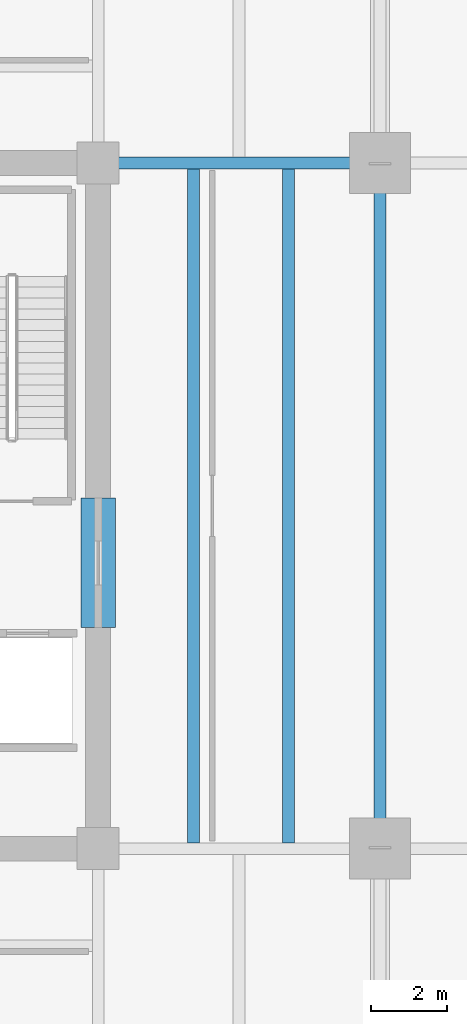
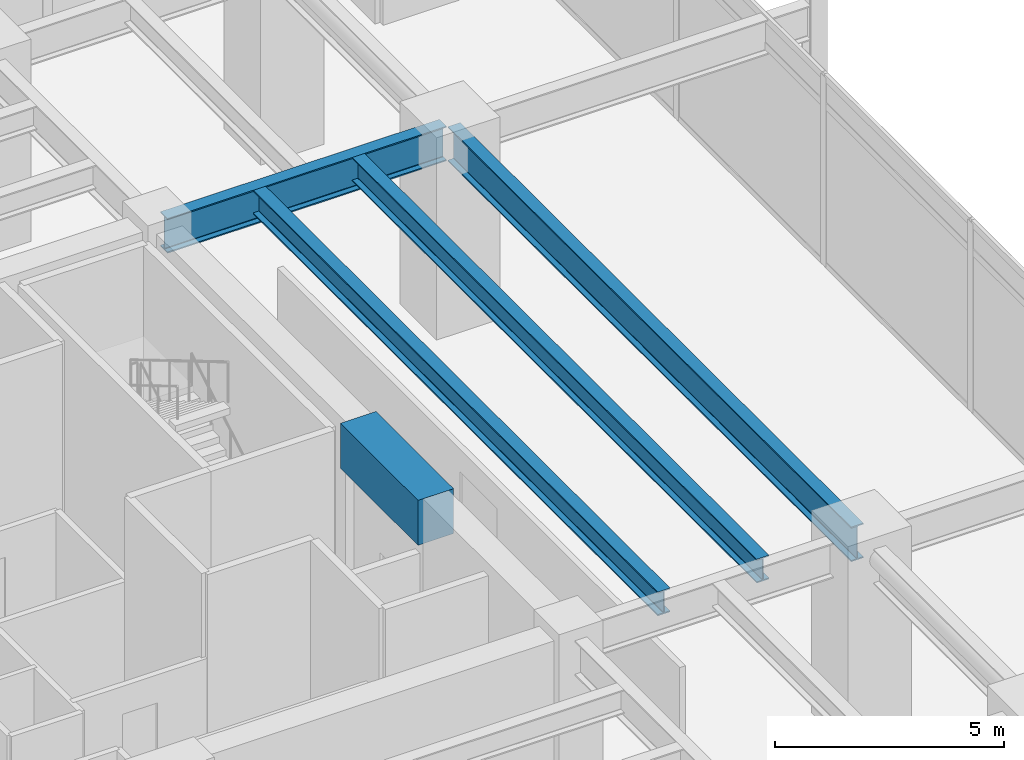
# One storey, part 10 of 23: 5 beams.
"""IFC4 building model written with IfcOpenShell, lengths in metres."""

from ifc_helpers import new_model, si_unit, direction, frame, origin, origin_2d, place, context, subcontext, project, spatial, rectangle, i_section, extrude, material, material_profile, profile_set, type_object, element, save


model = new_model("IFC4")

# Units and contexts
model_context = context("Model", 3, precision=1e-05, world=origin(), true_north=direction((0.0, 1.0)))
body_context = subcontext(model_context, "Body", "Model", "MODEL_VIEW")
ifc_project = project(units=[si_unit("LENGTHUNIT", "METRE"), si_unit("AREAUNIT", "SQUARE_METRE"), si_unit("VOLUMEUNIT", "CUBIC_METRE"), si_unit("PLANEANGLEUNIT", "RADIAN"), si_unit("MASSUNIT", "GRAM", prefix="KILO")], contexts=[model_context])

# Site, building, storey
site_placement = place(None, origin())
site = spatial("IfcSite", under=ifc_project, at=site_placement, CompositionType="ELEMENT")
building_placement = place(site_placement, origin())
building = spatial("IfcBuilding", under=site, at=building_placement, Name="Kovane Verandah Tower", CompositionType="ELEMENT")
storey_placement = place(building_placement, frame((0.0, 0.0, 107.60009765625)))
storey = spatial("IfcBuildingStorey", under=building, at=storey_placement, Name="L25", CompositionType="ELEMENT", Elevation=107.60009765625)

# Beams
ifc_material_1 = material(Name="Concrete C80/95", Category="concrete")
ifc_material_profile_1 = material_profile(ifc_material_1, rectangle(XDim=0.89990234375, YDim=1.199951171875, at=origin_2d()), Name="RCB900x1200")
ifc_profile_set_1 = profile_set([ifc_material_profile_1], Name="Concrete C80/95")
beam_type_1 = type_object("IfcBeamType", Name="BM-LINTEL-900x1200", PredefinedType="LINTEL", material=ifc_profile_set_1)
beam_1_placement = place(storey_placement, frame((51.0, 24.300048828125, 4.5), z_axis=(0.0, 1.0, 0.0), x_axis=(-1.0, 0.0, 0.0)))
element("IfcBeam", 1, at=beam_1_placement, inside=storey, type_object=beam_type_1, Name="L25 Core Coupling Lintel CL-E", PredefinedType="LINTEL", context=body_context, shape_type="SweptSolid", body=[
    extrude(rectangle(XDim=0.89990234375, YDim=1.199951171875, at=origin_2d()), origin(), (0.0, 0.0, 1.0), 3.39990234375),
])
ifc_material_2 = material(Name="Steel S460", Category="steel")
ifc_material_profile_2 = material_profile(ifc_material_2, i_section(OverallWidth=0.311279296875, OverallDepth=0.6357421875, WebThickness=0.018310546875, FlangeThickness=0.031494140625, FilletRadius=0.0166015625, at=origin_2d()), Name="UB610x305x238")
ifc_profile_set_2 = profile_set([ifc_material_profile_2], Name="Steel S460")
beam_type_2 = type_object("IfcBeamType", Name="BM-UB610x238", PredefinedType="BEAM", material=ifc_profile_set_2)
for number, where, z_axis, x_axis, name in (
    (2, (53.5, 18.65185546875, 4.781982421875), (0.0, 1.0, 0.0), (-1.0, 0.0, 0.0), "L25 Secondary Composite Joist J-E1"),
    (3, (56.0, 18.65185546875, 4.781982421875), (0.0, 1.0, 0.0), (-1.0, 0.0, 0.0), "L25 Secondary Composite Joist J-E2"),
):
    element("IfcBeam", number, at=place(storey_placement, frame(where, z_axis=z_axis, x_axis=x_axis)), inside=storey, type_object=beam_type_2, Name=name, PredefinedType="BEAM", context=body_context, shape_type="SweptSolid", body=[
        extrude(i_section(OverallWidth=0.311279296875, OverallDepth=0.6357421875, WebThickness=0.018310546875, FlangeThickness=0.031494140625, FilletRadius=0.0166015625, at=origin_2d()), origin(), (0.0, 0.0, 1.0), 17.6962890625),
    ])
ifc_material_profile_3 = material_profile(ifc_material_2, i_section(OverallWidth=0.3076171875, OverallDepth=0.926513671875, WebThickness=0.01953125, FlangeThickness=0.031982421875, FilletRadius=0.01904296875, at=origin_2d()), Name="UB914x305x289")
ifc_profile_set_3 = profile_set([ifc_material_profile_3], Name="Steel S460")
beam_type_3 = type_object("IfcBeamType", Name="BM-UB914x289", PredefinedType="BEAM", material=ifc_profile_set_3)
beam_2_placement = place(storey_placement, frame((58.39990234375, 18.679931640625, 4.63671875), z_axis=(0.0, 1.0, 0.0), x_axis=(-1.0, 0.0, 0.0)))
element("IfcBeam", 4, at=beam_2_placement, inside=storey, type_object=beam_type_3, Name="L25 Primary Tower Girder G-RE2", PredefinedType="BEAM", context=body_context, shape_type="SweptSolid", body=[
    extrude(i_section(OverallWidth=0.3076171875, OverallDepth=0.926513671875, WebThickness=0.01953125, FlangeThickness=0.031982421875, FilletRadius=0.01904296875, at=origin_2d()), origin(), (0.0, 0.0, 1.0), 17.64013671875),
])
beam_3_placement = place(storey_placement, frame((51.179931640625, 36.5, 4.63671875), z_axis=(1.0, 0.0, 0.0), x_axis=(0.0, 1.0, 0.0)))
element("IfcBeam", 5, at=beam_3_placement, inside=storey, type_object=beam_type_3, Name="L25 Primary Tower Girder G-E2", PredefinedType="BEAM", context=body_context, shape_type="SweptSolid", body=[
    extrude(i_section(OverallWidth=0.3076171875, OverallDepth=0.926513671875, WebThickness=0.01953125, FlangeThickness=0.031982421875, FilletRadius=0.01904296875, at=origin_2d()), origin(), (0.0, 0.0, 1.0), 7.0400390625),
])

save(model, "model.ifc")
